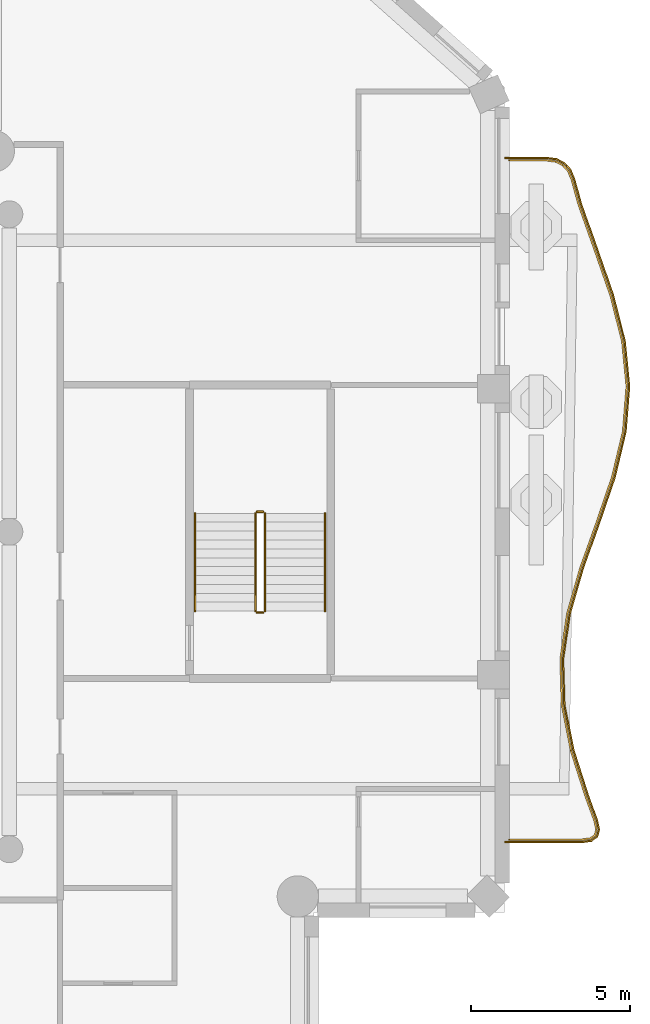
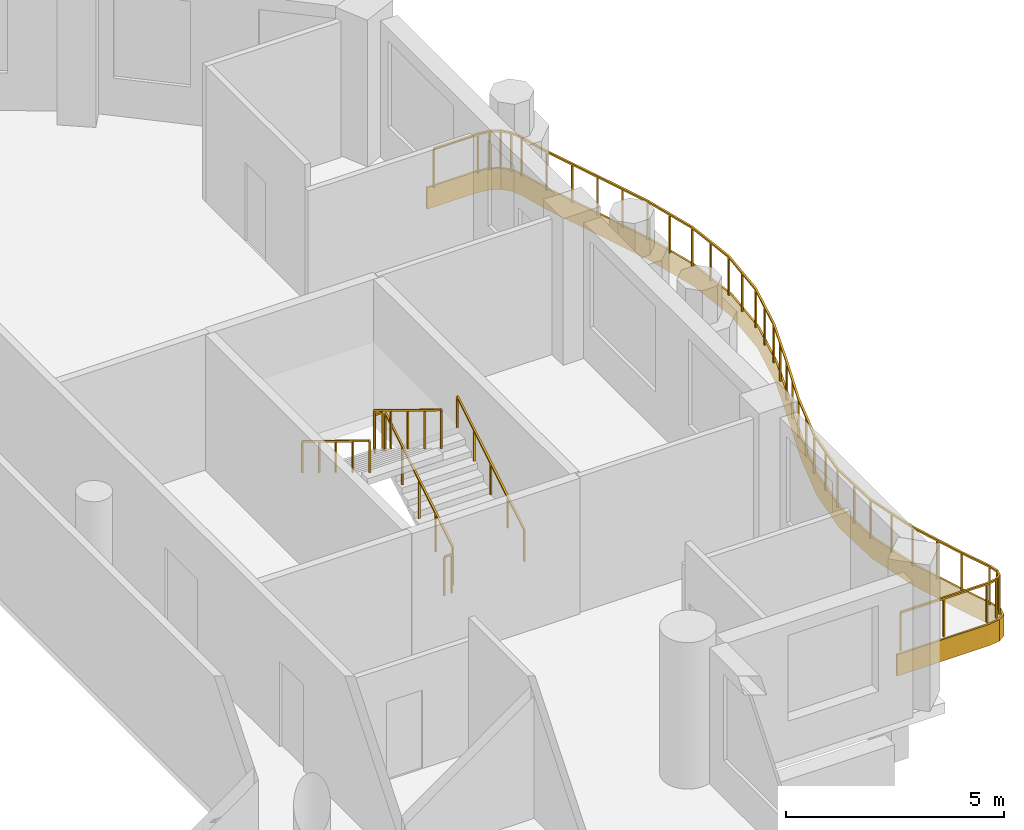
# One storey, part 12 of 14: 7 railings, 1 covering.
"""IFC4 building model written with IfcOpenShell, lengths in metres."""

from ifc_helpers import new_model, si_unit, direction, frame, origin, origin_2d, place, context, subcontext, project, spatial, polyline, rectangle, outline, extrude, material, layer, layer_set, type_object, element, save


model = new_model("IFC4")

# Units and contexts
model_context = context("Model", 3, precision=1e-05, world=origin(), true_north=direction((0.0, 1.0)))
body_context = subcontext(model_context, "Body", "Model", "MODEL_VIEW")
ifc_project = project(units=[si_unit("LENGTHUNIT", "METRE"), si_unit("AREAUNIT", "SQUARE_METRE"), si_unit("VOLUMEUNIT", "CUBIC_METRE"), si_unit("PLANEANGLEUNIT", "RADIAN"), si_unit("MASSUNIT", "GRAM", prefix="KILO")], contexts=[model_context])

# Site, building, storey
site_placement = place(None, origin())
site = spatial("IfcSite", under=ifc_project, at=site_placement, CompositionType="ELEMENT")
building_placement = place(site_placement, origin())
building = spatial("IfcBuilding", under=site, at=building_placement, Name="Cypress Arch Tower", CompositionType="ELEMENT")
storey_placement = place(building_placement, frame((0.0, 0.0, 300.800048828125)))
storey = spatial("IfcBuildingStorey", under=building, at=storey_placement, Name="L68", CompositionType="ELEMENT", Elevation=300.800048828125)

# Covering
ifc_material_1 = material(Name="White powder-coated aluminium fascia", Category="aluminium")
ifc_layer = layer(ifc_material_1, 0.050048828125)
ifc_layer_set = layer_set([ifc_layer], Name="Balcony fascia BF50")
covering_type = type_object("IfcCoveringType", Name="Balcony fascia BF50", PredefinedType="CLADDING", material=ifc_layer_set)
covering_placement = place(storey_placement, frame((0.0, 0.0, -0.60009765625)))
element("IfcCovering", 1, at=covering_placement, inside=storey, type_object=covering_type, Name="Balcony fascia L68-C17", PredefinedType="CLADDING", context=body_context, shape_type="SweptSolid", body=[
    extrude(outline(polyline([(25.92431640625, 11.800048828125), (26.239501953125, 11.758056640625), (26.497802734375, 11.629150390625), (26.690673828125, 11.414306640625), (26.814697265625, 11.121337890625), (27.031982421875, 10.331787109375), (27.5400390625, 8.89990234375), (28.038818359375, 7.46435546875), (28.405517578125, 6.025390625), (28.5498046875, 4.583740234375), (28.43505859375, 3.14208984375), (28.09033203125, 1.70263671875), (27.600830078125, 0.266845703125), (27.08740234375, -1.165283203125), (26.67529296875, -2.593994140625), (26.465087890625, -4.01953125), (26.507080078125, -5.4443359375), (26.791259765625, -6.870849609375), (27.249267578125, -8.300537109375), (27.5361328125, -9.09130859375), (27.5986328125, -9.388671875), (27.53515625, -9.619140625), (27.34033203125, -9.757568359375), (27.0390625, -9.800048828125), (24.60107421875, -9.800048828125), (24.60107421875, -9.75), (27.03564453125, -9.75), (27.3212890625, -9.709716796875), (27.49169921875, -9.5888671875), (27.54736328125, -9.38720703125), (27.48779296875, -9.10498046875), (27.201904296875, -8.316650390625), (26.742919921875, -6.88330078125), (26.457275390625, -5.449951171875), (26.414794921875, -4.0166015625), (26.62646484375, -2.583251953125), (27.039794921875, -1.14990234375), (27.5537109375, 0.283447265625), (28.042236328125, 1.716552734375), (28.385498046875, 3.14990234375), (28.49951171875, 4.583251953125), (28.356201171875, 6.0166015625), (27.99072265625, 7.449951171875), (27.49267578125, 8.88330078125), (26.984130859375, 10.316650390625), (26.767333984375, 11.10498046875), (26.64794921875, 11.38720703125), (26.467041015625, 11.5888671875), (26.224609375, 11.709716796875), (25.9208984375, 11.75), (24.60107421875, 11.75), (24.60107421875, 11.800048828125), (25.92431640625, 11.800048828125)])), origin(), (0.0, 0.0, 1.0), 0.60009765625),
])

# Railings
ifc_material_2 = material(Name="Powder-coated steel posts and rods, 100 mm clear between rods", Category="steel")
railing_type_1 = type_object("IfcRailingType", Name="Balcony guard GR1100", PredefinedType="GUARDRAIL", material=ifc_material_2)
railing_1_placement = place(storey_placement, frame((24.75, 11.699951171875, 0.0)))
element("IfcRailing", 2, at=railing_1_placement, inside=storey, type_object=railing_type_1, Name="Balcony guard L68-C17", PredefinedType="GUARDRAIL", context=body_context, shape_type="SweptSolid", body=[
    extrude(rectangle(XDim=0.050048828125, YDim=0.050048828125, at=origin_2d()), frame((0.0, 0.0, 1.0751953125), z_axis=(1.0, 0.0, 0.0), x_axis=(0.0, 1.0, 0.0)), (0.0, 0.0, 1.0), 1.167724609375),
    extrude(rectangle(XDim=0.050048828125, YDim=0.050048828125, at=origin_2d()), frame((1.167724609375, 0.0, 1.0751953125), z_axis=(0.99127849855, -0.131783679991, 0.0), x_axis=(0.131783679991, 0.99127849855, 0.0)), (0.0, 0.0, 1.0), 0.294677734375),
    extrude(rectangle(XDim=0.050048828125, YDim=0.050048828125, at=origin_2d()), frame((1.459716796875, -0.038818359375, 1.0751953125), z_axis=(0.895197581351, -0.445669485543, 0.0), x_axis=(0.445669485543, 0.895197581351, 0.0)), (0.0, 0.0, 1.0), 0.253173828125),
    extrude(rectangle(XDim=0.050048828125, YDim=0.050048828125, at=origin_2d()), frame((1.686279296875, -0.151611328125, 1.0751953125), z_axis=(0.667950867447, -0.744205373991, 0.0), x_axis=(0.744205373991, 0.667950867447, 0.0)), (0.0, 0.0, 1.0), 0.2529296875),
    extrude(rectangle(XDim=0.050048828125, YDim=0.050048828125, at=origin_2d()), frame((1.855224609375, -0.33984375, 1.0751953125), z_axis=(0.389315701492, -0.921104383103, 0.0), x_axis=(0.921104383103, 0.389315701492, 0.0)), (0.0, 0.0, 1.0), 0.294677734375),
    extrude(rectangle(XDim=0.050048828125, YDim=0.050048828125, at=origin_2d()), frame((1.969970703125, -0.611328125, 1.0751953125), z_axis=(0.265344205918, -0.96415374935, 0.0), x_axis=(0.96415374935, 0.265344205918, 0.0)), (0.0, 0.0, 1.0), 0.816162109375),
    extrude(rectangle(XDim=0.050048828125, YDim=0.050048828125, at=origin_2d()), frame((2.1865234375, -1.398193359375, 1.0751953125), z_axis=(0.33430418613, -0.94246523073, 0.0), x_axis=(0.94246523073, 0.33430418613, 0.0)), (0.0, 0.0, 1.0), 1.522705078125),
    extrude(rectangle(XDim=0.050048828125, YDim=0.050048828125, at=origin_2d()), frame((2.695556640625, -2.833251953125, 1.0751953125), z_axis=(0.328239365065, -0.944594579289, 0.0), x_axis=(0.944594579289, 0.328239365065, 0.0)), (0.0, 0.0, 1.0), 1.51513671875),
    extrude(rectangle(XDim=0.050048828125, YDim=0.050048828125, at=origin_2d()), frame((3.19287109375, -4.264404296875, 1.0751953125), z_axis=(0.247095241345, -0.96899119795, 0.0), x_axis=(0.96899119795, 0.247095241345, 0.0)), (0.0, 0.0, 1.0), 1.47314453125),
    extrude(rectangle(XDim=0.050048828125, YDim=0.050048828125, at=origin_2d()), frame((3.556884765625, -5.69189453125, 1.0751953125), z_axis=(0.099537469632, -0.995033814571, 0.0), x_axis=(0.995033814571, 0.099537469632, 0.0)), (0.0, 0.0, 1.0), 1.432373046875),
    extrude(rectangle(XDim=0.050048828125, YDim=0.050048828125, at=origin_2d()), frame((3.699462890625, -7.1171875, 1.0751953125), z_axis=(-0.079426139564, -0.996840753759, 0.0), x_axis=(0.996840753759, -0.079426139564, 0.0)), (0.0, 0.0, 1.0), 1.42919921875),
    extrude(rectangle(XDim=0.050048828125, YDim=0.050048828125, at=origin_2d()), frame((3.5859375, -8.5419921875, 1.0751953125), z_axis=(-0.232857081064, -0.972510966415, 0.0), x_axis=(0.972510966415, -0.232857081064, 0.0)), (0.0, 0.0, 1.0), 1.4677734375),
    extrude(rectangle(XDim=0.050048828125, YDim=0.050048828125, at=origin_2d()), frame((3.244140625, -9.969482421875, 1.0751953125), z_axis=(-0.322568683083, -0.946546060524, 0.0), x_axis=(0.946546060524, -0.322568683083, 0.0)), (0.0, 0.0, 1.0), 1.511474609375),
    extrude(rectangle(XDim=0.050048828125, YDim=0.050048828125, at=origin_2d()), frame((2.756591796875, -11.400146484375, 1.0751953125), z_axis=(-0.337584516121, -0.941295221743, 0.0), x_axis=(0.941295221743, -0.337584516121, 0.0)), (0.0, 0.0, 1.0), 1.523681640625),
    extrude(rectangle(XDim=0.050048828125, YDim=0.050048828125, at=origin_2d()), frame((2.2421875, -12.83447265625, 1.0751953125), z_axis=(-0.277111425007, -0.960837789708, 0.0), x_axis=(0.960837789708, -0.277111425007, 0.0)), (0.0, 0.0, 1.0), 1.496826171875),
    extrude(rectangle(XDim=0.050048828125, YDim=0.050048828125, at=origin_2d()), frame((1.827392578125, -14.272705078125, 1.0751953125), z_axis=(-0.145995834186, -0.989285204782, 0.0), x_axis=(0.989285204782, -0.145995834186, 0.0)), (0.0, 0.0, 1.0), 1.45654296875),
    extrude(rectangle(XDim=0.050048828125, YDim=0.050048828125, at=origin_2d()), frame((1.61474609375, -15.713623046875, 1.0751953125), z_axis=(0.029617884607, -0.999561294224, 0.0), x_axis=(0.999561294224, 0.029617884607, 0.0)), (0.0, 0.0, 1.0), 1.442626953125),
    extrude(rectangle(XDim=0.050048828125, YDim=0.050048828125, at=origin_2d()), frame((1.657470703125, -17.155517578125, 1.0751953125), z_axis=(0.195316901017, -0.980740183829, 0.0), x_axis=(0.980740183829, 0.195316901017, 0.0)), (0.0, 0.0, 1.0), 1.46875),
    extrude(rectangle(XDim=0.050048828125, YDim=0.050048828125, at=origin_2d()), frame((1.9443359375, -18.595947265625, 1.0751953125), z_axis=(0.305039943266, -0.952339557622, 0.0), x_axis=(0.952339557622, 0.305039943266, 0.0)), (0.0, 0.0, 1.0), 1.5087890625),
    extrude(rectangle(XDim=0.050048828125, YDim=0.050048828125, at=origin_2d()), frame((2.404541015625, -20.03271484375, 1.0751953125), z_axis=(0.341086453927, -0.940031930813, 0.0), x_axis=(0.940031930813, 0.341086453927, 0.0)), (0.0, 0.0, 1.0), 0.8359375),
    extrude(rectangle(XDim=0.050048828125, YDim=0.050048828125, at=origin_2d()), frame((2.689697265625, -20.818603515625, 1.0751953125), z_axis=(0.205920237191, -0.978568779348, 0.0), x_axis=(0.978568779348, 0.205920237191, 0.0)), (0.0, 0.0, 1.0), 0.272705078125),
    extrude(rectangle(XDim=0.050048828125, YDim=0.050048828125, at=origin_2d()), frame((2.745849609375, -21.08544921875, 1.0751953125), z_axis=(-0.265536257751, -0.964100874297, 0.0), x_axis=(0.964100874297, -0.265536257751, 0.0)), (0.0, 0.0, 1.0), 0.17919921875),
    extrude(rectangle(XDim=0.050048828125, YDim=0.050048828125, at=origin_2d()), frame((2.6982421875, -21.25830078125, 1.0751953125), z_axis=(-0.815756296258, -0.578395768584, 0.0), x_axis=(0.578395768584, -0.815756296258, 0.0)), (0.0, 0.0, 1.0), 0.178955078125),
    extrude(rectangle(XDim=0.050048828125, YDim=0.050048828125, at=origin_2d()), frame((2.55224609375, -21.36181640625, 1.0751953125), z_axis=(-0.990198621594, -0.13966635169, 0.0), x_axis=(0.13966635169, -0.990198621594, 0.0)), (0.0, 0.0, 1.0), 0.272705078125),
    extrude(rectangle(XDim=0.050048828125, YDim=0.050048828125, at=origin_2d()), frame((2.2822265625, -21.39990234375, 1.0751953125), z_axis=(-1.0, 0.0, 0.0), x_axis=(0.0, -1.0, 0.0)), (0.0, 0.0, 1.0), 2.2822265625),
    extrude(rectangle(XDim=0.0400390625, YDim=0.0400390625, at=origin_2d()), origin(), (0.0, 0.0, 1.0), 1.050048828125),
    extrude(rectangle(XDim=0.0400390625, YDim=0.0400390625, at=origin_2d()), frame((1.167724609375, 0.0, 0.0)), (0.0, 0.0, 1.0), 1.050048828125),
    extrude(rectangle(XDim=0.0400390625, YDim=0.0400390625, at=origin_2d()), frame((1.459716796875, -0.038818359375, 0.0)), (0.0, 0.0, 1.0), 1.050048828125),
    extrude(rectangle(XDim=0.0400390625, YDim=0.0400390625, at=origin_2d()), frame((1.686279296875, -0.151611328125, 0.0)), (0.0, 0.0, 1.0), 1.050048828125),
    extrude(rectangle(XDim=0.0400390625, YDim=0.0400390625, at=origin_2d()), frame((1.855224609375, -0.33984375, 0.0)), (0.0, 0.0, 1.0), 1.050048828125),
    extrude(rectangle(XDim=0.0400390625, YDim=0.0400390625, at=origin_2d()), frame((1.969970703125, -0.611328125, 0.0)), (0.0, 0.0, 1.0), 1.050048828125),
    extrude(rectangle(XDim=0.0400390625, YDim=0.0400390625, at=origin_2d()), frame((2.1865234375, -1.398193359375, 0.0)), (0.0, 0.0, 1.0), 1.050048828125),
    extrude(rectangle(XDim=0.0400390625, YDim=0.0400390625, at=origin_2d()), frame((2.44091796875, -2.11572265625, 0.0)), (0.0, 0.0, 1.0), 1.050048828125),
    extrude(rectangle(XDim=0.0400390625, YDim=0.0400390625, at=origin_2d()), frame((2.695556640625, -2.833251953125, 0.0)), (0.0, 0.0, 1.0), 1.050048828125),
    extrude(rectangle(XDim=0.0400390625, YDim=0.0400390625, at=origin_2d()), frame((2.9443359375, -3.548828125, 0.0)), (0.0, 0.0, 1.0), 1.050048828125),
    extrude(rectangle(XDim=0.0400390625, YDim=0.0400390625, at=origin_2d()), frame((3.19287109375, -4.264404296875, 0.0)), (0.0, 0.0, 1.0), 1.050048828125),
    extrude(rectangle(XDim=0.0400390625, YDim=0.0400390625, at=origin_2d()), frame((3.375, -4.97802734375, 0.0)), (0.0, 0.0, 1.0), 1.050048828125),
    extrude(rectangle(XDim=0.0400390625, YDim=0.0400390625, at=origin_2d()), frame((3.556884765625, -5.69189453125, 0.0)), (0.0, 0.0, 1.0), 1.050048828125),
    extrude(rectangle(XDim=0.0400390625, YDim=0.0400390625, at=origin_2d()), frame((3.628173828125, -6.404541015625, 0.0)), (0.0, 0.0, 1.0), 1.050048828125),
    extrude(rectangle(XDim=0.0400390625, YDim=0.0400390625, at=origin_2d()), frame((3.699462890625, -7.1171875, 0.0)), (0.0, 0.0, 1.0), 1.050048828125),
    extrude(rectangle(XDim=0.0400390625, YDim=0.0400390625, at=origin_2d()), frame((3.642578125, -7.82958984375, 0.0)), (0.0, 0.0, 1.0), 1.050048828125),
    extrude(rectangle(XDim=0.0400390625, YDim=0.0400390625, at=origin_2d()), frame((3.5859375, -8.5419921875, 0.0)), (0.0, 0.0, 1.0), 1.050048828125),
    extrude(rectangle(XDim=0.0400390625, YDim=0.0400390625, at=origin_2d()), frame((3.4150390625, -9.255859375, 0.0)), (0.0, 0.0, 1.0), 1.050048828125),
    extrude(rectangle(XDim=0.0400390625, YDim=0.0400390625, at=origin_2d()), frame((3.244140625, -9.969482421875, 0.0)), (0.0, 0.0, 1.0), 1.050048828125),
    extrude(rectangle(XDim=0.0400390625, YDim=0.0400390625, at=origin_2d()), frame((3.00048828125, -10.684814453125, 0.0)), (0.0, 0.0, 1.0), 1.050048828125),
    extrude(rectangle(XDim=0.0400390625, YDim=0.0400390625, at=origin_2d()), frame((2.756591796875, -11.400146484375, 0.0)), (0.0, 0.0, 1.0), 1.050048828125),
    extrude(rectangle(XDim=0.0400390625, YDim=0.0400390625, at=origin_2d()), frame((2.49951171875, -12.1171875, 0.0)), (0.0, 0.0, 1.0), 1.050048828125),
    extrude(rectangle(XDim=0.0400390625, YDim=0.0400390625, at=origin_2d()), frame((2.2421875, -12.83447265625, 0.0)), (0.0, 0.0, 1.0), 1.050048828125),
    extrude(rectangle(XDim=0.0400390625, YDim=0.0400390625, at=origin_2d()), frame((2.03466796875, -13.5537109375, 0.0)), (0.0, 0.0, 1.0), 1.050048828125),
    extrude(rectangle(XDim=0.0400390625, YDim=0.0400390625, at=origin_2d()), frame((1.827392578125, -14.272705078125, 0.0)), (0.0, 0.0, 1.0), 1.050048828125),
    extrude(rectangle(XDim=0.0400390625, YDim=0.0400390625, at=origin_2d()), frame((1.72119140625, -14.9931640625, 0.0)), (0.0, 0.0, 1.0), 1.050048828125),
    extrude(rectangle(XDim=0.0400390625, YDim=0.0400390625, at=origin_2d()), frame((1.61474609375, -15.713623046875, 0.0)), (0.0, 0.0, 1.0), 1.050048828125),
    extrude(rectangle(XDim=0.0400390625, YDim=0.0400390625, at=origin_2d()), frame((1.63623046875, -16.4345703125, 0.0)), (0.0, 0.0, 1.0), 1.050048828125),
    extrude(rectangle(XDim=0.0400390625, YDim=0.0400390625, at=origin_2d()), frame((1.657470703125, -17.155517578125, 0.0)), (0.0, 0.0, 1.0), 1.050048828125),
    extrude(rectangle(XDim=0.0400390625, YDim=0.0400390625, at=origin_2d()), frame((1.80078125, -17.875732421875, 0.0)), (0.0, 0.0, 1.0), 1.050048828125),
    extrude(rectangle(XDim=0.0400390625, YDim=0.0400390625, at=origin_2d()), frame((1.9443359375, -18.595947265625, 0.0)), (0.0, 0.0, 1.0), 1.050048828125),
    extrude(rectangle(XDim=0.0400390625, YDim=0.0400390625, at=origin_2d()), frame((2.17431640625, -19.314453125, 0.0)), (0.0, 0.0, 1.0), 1.050048828125),
    extrude(rectangle(XDim=0.0400390625, YDim=0.0400390625, at=origin_2d()), frame((2.404541015625, -20.03271484375, 0.0)), (0.0, 0.0, 1.0), 1.050048828125),
    extrude(rectangle(XDim=0.0400390625, YDim=0.0400390625, at=origin_2d()), frame((2.689697265625, -20.818603515625, 0.0)), (0.0, 0.0, 1.0), 1.050048828125),
    extrude(rectangle(XDim=0.0400390625, YDim=0.0400390625, at=origin_2d()), frame((2.745849609375, -21.08544921875, 0.0)), (0.0, 0.0, 1.0), 1.050048828125),
    extrude(rectangle(XDim=0.0400390625, YDim=0.0400390625, at=origin_2d()), frame((2.6982421875, -21.25830078125, 0.0)), (0.0, 0.0, 1.0), 1.050048828125),
    extrude(rectangle(XDim=0.0400390625, YDim=0.0400390625, at=origin_2d()), frame((2.55224609375, -21.36181640625, 0.0)), (0.0, 0.0, 1.0), 1.050048828125),
    extrude(rectangle(XDim=0.0400390625, YDim=0.0400390625, at=origin_2d()), frame((2.2822265625, -21.39990234375, 0.0)), (0.0, 0.0, 1.0), 1.050048828125),
    extrude(rectangle(XDim=0.0400390625, YDim=0.0400390625, at=origin_2d()), frame((1.14111328125, -21.39990234375, 0.0)), (0.0, 0.0, 1.0), 1.050048828125),
    extrude(rectangle(XDim=0.0400390625, YDim=0.0400390625, at=origin_2d()), frame((0.0, -21.39990234375, 0.0)), (0.0, 0.0, 1.0), 1.050048828125),
])
ifc_material_3 = material(Name="Black powder-coated steel square bar 48 mm", Category="steel")
railing_type_2 = type_object("IfcRailingType", Name="Stair handrail HR1", PredefinedType="HANDRAIL", material=ifc_material_3)
railing_2_placement = place(storey_placement, frame((18.949951171875, -2.5, 0.1708984375)))
element("IfcRailing", 3, at=railing_2_placement, inside=storey, type_object=railing_type_2, Name="L68 C stair handrail 1", PredefinedType="HANDRAIL", context=body_context, shape_type="SweptSolid", body=[
    extrude(rectangle(XDim=0.048095703125, YDim=0.048095703125, at=origin_2d()), frame((0.0, 0.0, 0.8759765625), z_axis=(0.0, 0.853666305674, 0.52082035152), x_axis=(-1.0, 0.0, 0.0)), (0.0, 0.0, 1.0), 3.608154296875),
    extrude(rectangle(XDim=0.0419921875, YDim=0.0419921875, at=origin_2d()), origin(), (0.0, 0.0, 1.0), 0.851806640625),
    extrude(rectangle(XDim=0.0419921875, YDim=0.0419921875, at=origin_2d()), frame((0.0, 0.77001953125, 0.4697265625)), (0.0, 0.0, 1.0), 0.851806640625),
    extrude(rectangle(XDim=0.0419921875, YDim=0.0419921875, at=origin_2d()), frame((0.0, 1.5400390625, 0.939453125)), (0.0, 0.0, 1.0), 0.851806640625),
    extrude(rectangle(XDim=0.0419921875, YDim=0.0419921875, at=origin_2d()), frame((0.0, 2.31005859375, 1.409423828125)), (0.0, 0.0, 1.0), 0.851806640625),
    extrude(rectangle(XDim=0.0419921875, YDim=0.0419921875, at=origin_2d()), frame((0.0, 3.080078125, 1.879150390625)), (0.0, 0.0, 1.0), 0.851806640625),
])
railing_3_placement = place(storey_placement, frame((14.85009765625, 0.580078125, 2.220703125)))
element("IfcRailing", 4, at=railing_3_placement, inside=storey, type_object=railing_type_2, Name="L68 C stair handrail 2", PredefinedType="HANDRAIL", context=body_context, shape_type="SweptSolid", body=[
    extrude(rectangle(XDim=0.048095703125, YDim=0.048095703125, at=origin_2d()), frame((0.0, 0.0, 0.8759765625), z_axis=(0.0, -0.853666305674, 0.52082035152), x_axis=(1.0, 0.0, 0.0)), (0.0, 0.0, 1.0), 3.608154296875),
    extrude(rectangle(XDim=0.0419921875, YDim=0.0419921875, at=origin_2d()), origin(), (0.0, 0.0, 1.0), 0.851806640625),
    extrude(rectangle(XDim=0.0419921875, YDim=0.0419921875, at=origin_2d()), frame((0.0, -0.77001953125, 0.4697265625)), (0.0, 0.0, 1.0), 0.851806640625),
    extrude(rectangle(XDim=0.0419921875, YDim=0.0419921875, at=origin_2d()), frame((0.0, -1.5400390625, 0.939453125)), (0.0, 0.0, 1.0), 0.851806640625),
    extrude(rectangle(XDim=0.0419921875, YDim=0.0419921875, at=origin_2d()), frame((0.0, -2.31005859375, 1.409423828125)), (0.0, 0.0, 1.0), 0.851806640625),
    extrude(rectangle(XDim=0.0419921875, YDim=0.0419921875, at=origin_2d()), frame((0.0, -3.080078125, 1.879150390625)), (0.0, 0.0, 1.0), 0.851806640625),
])
ifc_material_4 = material(Name="Black powder-coated steel balusters", Category="steel")
railing_type_3 = type_object("IfcRailingType", Name="Stair well guard G1", PredefinedType="GUARDRAIL", material=ifc_material_4)
railing_4_placement = place(storey_placement, frame((17.050048828125, -2.5, 0.1708984375)))
element("IfcRailing", 5, at=railing_4_placement, inside=storey, type_object=railing_type_3, Name="L68 C stair guard 1", PredefinedType="GUARDRAIL", context=body_context, shape_type="SweptSolid", body=[
    extrude(rectangle(XDim=0.048095703125, YDim=0.048095703125, at=origin_2d()), frame((0.0, 0.0, 1.076171875), z_axis=(0.0, 0.853666305674, 0.52082035152), x_axis=(-1.0, 0.0, 0.0)), (0.0, 0.0, 1.0), 3.608154296875),
    extrude(rectangle(XDim=0.0419921875, YDim=0.0419921875, at=origin_2d()), origin(), (0.0, 0.0, 1.0), 1.052001953125),
    extrude(rectangle(XDim=0.0419921875, YDim=0.0419921875, at=origin_2d()), frame((0.0, 0.77001953125, 0.4697265625)), (0.0, 0.0, 1.0), 1.052001953125),
    extrude(rectangle(XDim=0.0419921875, YDim=0.0419921875, at=origin_2d()), frame((0.0, 1.5400390625, 0.939453125)), (0.0, 0.0, 1.0), 1.052001953125),
    extrude(rectangle(XDim=0.0419921875, YDim=0.0419921875, at=origin_2d()), frame((0.0, 2.31005859375, 1.409423828125)), (0.0, 0.0, 1.0), 1.052001953125),
    extrude(rectangle(XDim=0.0419921875, YDim=0.0419921875, at=origin_2d()), frame((0.0, 3.080078125, 1.879150390625)), (0.0, 0.0, 1.0), 1.052001953125),
])
railing_5_placement = place(storey_placement, frame((17.0, 0.6298828125, 2.050048828125)))
element("IfcRailing", 6, at=railing_5_placement, inside=storey, type_object=railing_type_3, Name="L68 C stair guard 2", PredefinedType="GUARDRAIL", context=body_context, shape_type="SweptSolid", body=[
    extrude(rectangle(XDim=0.048095703125, YDim=0.048095703125, at=origin_2d()), frame((0.0, 0.0, 1.076171875), z_axis=(-1.0, 0.0, 0.0), x_axis=(0.0, -1.0, 0.0)), (0.0, 0.0, 1.0), 0.199951171875),
    extrude(rectangle(XDim=0.0419921875, YDim=0.0419921875, at=origin_2d()), origin(), (0.0, 0.0, 1.0), 1.052001953125),
    extrude(rectangle(XDim=0.0419921875, YDim=0.0419921875, at=origin_2d()), frame((-0.199951171875, 0.0, 0.0)), (0.0, 0.0, 1.0), 1.052001953125),
])
railing_6_placement = place(storey_placement, frame((16.75, 0.580078125, 2.220703125)))
element("IfcRailing", 7, at=railing_6_placement, inside=storey, type_object=railing_type_3, Name="L68 C stair guard 3", PredefinedType="GUARDRAIL", context=body_context, shape_type="SweptSolid", body=[
    extrude(rectangle(XDim=0.048095703125, YDim=0.048095703125, at=origin_2d()), frame((0.0, 0.0, 1.076171875), z_axis=(0.0, -0.853666305674, 0.52082035152), x_axis=(1.0, 0.0, 0.0)), (0.0, 0.0, 1.0), 3.608154296875),
    extrude(rectangle(XDim=0.0419921875, YDim=0.0419921875, at=origin_2d()), origin(), (0.0, 0.0, 1.0), 1.052001953125),
    extrude(rectangle(XDim=0.0419921875, YDim=0.0419921875, at=origin_2d()), frame((0.0, -0.77001953125, 0.4697265625)), (0.0, 0.0, 1.0), 1.052001953125),
    extrude(rectangle(XDim=0.0419921875, YDim=0.0419921875, at=origin_2d()), frame((0.0, -1.5400390625, 0.939453125)), (0.0, 0.0, 1.0), 1.052001953125),
    extrude(rectangle(XDim=0.0419921875, YDim=0.0419921875, at=origin_2d()), frame((0.0, -2.31005859375, 1.409423828125)), (0.0, 0.0, 1.0), 1.052001953125),
    extrude(rectangle(XDim=0.0419921875, YDim=0.0419921875, at=origin_2d()), frame((0.0, -3.080078125, 1.879150390625)), (0.0, 0.0, 1.0), 1.052001953125),
])
railing_7_placement = place(storey_placement, frame((17.0, -2.550048828125, 0.0)))
element("IfcRailing", 8, at=railing_7_placement, inside=storey, type_object=railing_type_3, Name="L68 C stair guard 4", PredefinedType="GUARDRAIL", context=body_context, shape_type="SweptSolid", body=[
    extrude(rectangle(XDim=0.048095703125, YDim=0.048095703125, at=origin_2d()), frame((0.0, 0.0, 1.076171875), z_axis=(-1.0, 0.0, 0.0), x_axis=(0.0, -1.0, 0.0)), (0.0, 0.0, 1.0), 0.199951171875),
    extrude(rectangle(XDim=0.0419921875, YDim=0.0419921875, at=origin_2d()), origin(), (0.0, 0.0, 1.0), 1.052001953125),
    extrude(rectangle(XDim=0.0419921875, YDim=0.0419921875, at=origin_2d()), frame((-0.199951171875, 0.0, 0.0)), (0.0, 0.0, 1.0), 1.052001953125),
])

save(model, "model.ifc")
